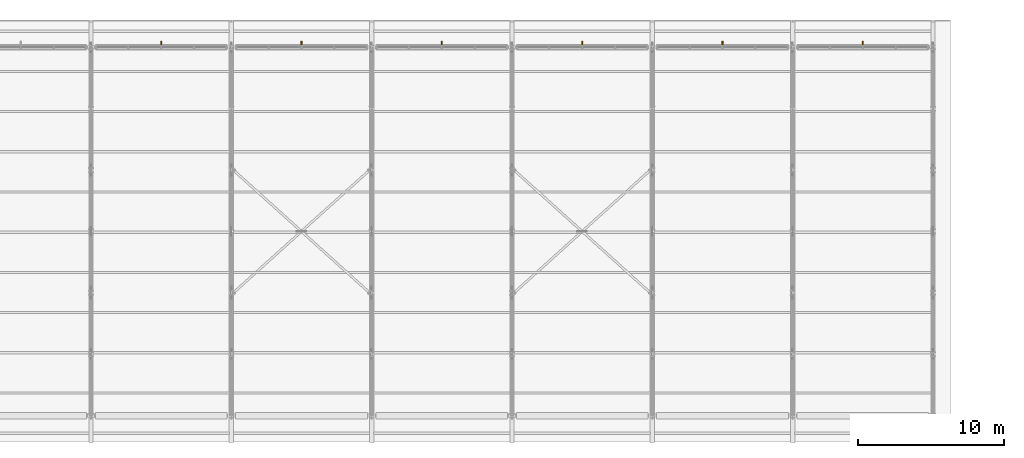
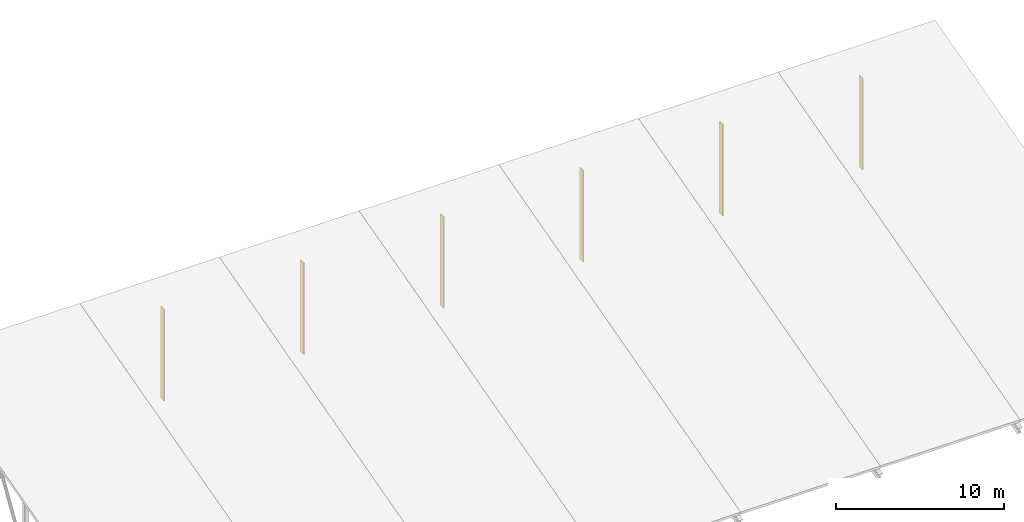
# One storey, part 34 of 37: 6 shading devices.
"""IFC4 building model written with IfcOpenShell, lengths in metres."""

from ifc_helpers import new_model, si_unit, direction, frame, origin, origin_2d, place, context, subcontext, project, spatial, rectangle, extrude, material, type_object, element, save


model = new_model("IFC4")

# Units and contexts
model_context = context("Model", 3, precision=1e-05, world=origin(), true_north=direction((0.0, 1.0)))
body_context = subcontext(model_context, "Body", "Model", "MODEL_VIEW")
ifc_project = project(units=[si_unit("LENGTHUNIT", "METRE"), si_unit("AREAUNIT", "SQUARE_METRE"), si_unit("VOLUMEUNIT", "CUBIC_METRE"), si_unit("PLANEANGLEUNIT", "RADIAN"), si_unit("MASSUNIT", "GRAM", prefix="KILO")], contexts=[model_context])

# Site, building, storey
site_placement = place(None, origin())
site = spatial("IfcSite", under=ifc_project, at=site_placement, CompositionType="ELEMENT")
building_placement = place(site_placement, origin())
building = spatial("IfcBuilding", under=site, at=building_placement, Name="Shalvenor Court Art Gallery", CompositionType="ELEMENT")
storey_placement = place(building_placement, frame((0.0, 0.0, 22.199951171875)))
storey = spatial("IfcBuildingStorey", under=building, at=storey_placement, Name="L04", CompositionType="ELEMENT", Elevation=22.199951171875)

# Shading devices
ifc_material = material(Name="Dark anodised bronze aluminium sunshade fin", Category="aluminium")
shading_device_type = type_object("IfcShadingDeviceType", Name="SHD-02", PredefinedType="USERDEFINED", material=ifc_material)
for number, where, z_axis, x_axis, name in (
    (1, (72.0, 122.6201171875, 0.10009765625), (0.0, 0.0, 1.0), (1.0, 0.0, 0.0), "L04 V2 North Light Baffle Fin 2"),
    (2, (81.60009765625, 122.6201171875, 0.10009765625), (0.0, 0.0, 1.0), (1.0, 0.0, 0.0), "L04 V2 North Light Baffle Fin 3"),
    (3, (91.199951171875, 122.6201171875, 0.10009765625), (0.0, 0.0, 1.0), (1.0, 0.0, 0.0), "L04 V2 North Light Baffle Fin 4"),
    (4, (100.800048828125, 122.6201171875, 0.10009765625), (0.0, 0.0, 1.0), (1.0, 0.0, 0.0), "L04 V2 North Light Baffle Fin 5"),
    (5, (110.39990234375, 122.6201171875, 0.10009765625), (0.0, 0.0, 1.0), (1.0, 0.0, 0.0), "L04 V2 North Light Baffle Fin 6"),
    (6, (120.0, 122.6201171875, 0.10009765625), (0.0, 0.0, 1.0), (1.0, 0.0, 0.0), "L04 V2 North Light Baffle Fin 7"),
):
    element("IfcShadingDevice", number, at=place(storey_placement, frame(where, z_axis=z_axis, x_axis=x_axis)), inside=storey, type_object=shading_device_type, Name=name, ObjectType="FIN", PredefinedType="USERDEFINED", context=body_context, shape_type="SweptSolid", body=[
        extrude(rectangle(XDim=0.080078125, YDim=0.39990234375, at=origin_2d()), origin(), (0.0, 0.0, 1.0), 6.64990234375),
    ])

save(model, "model.ifc")
